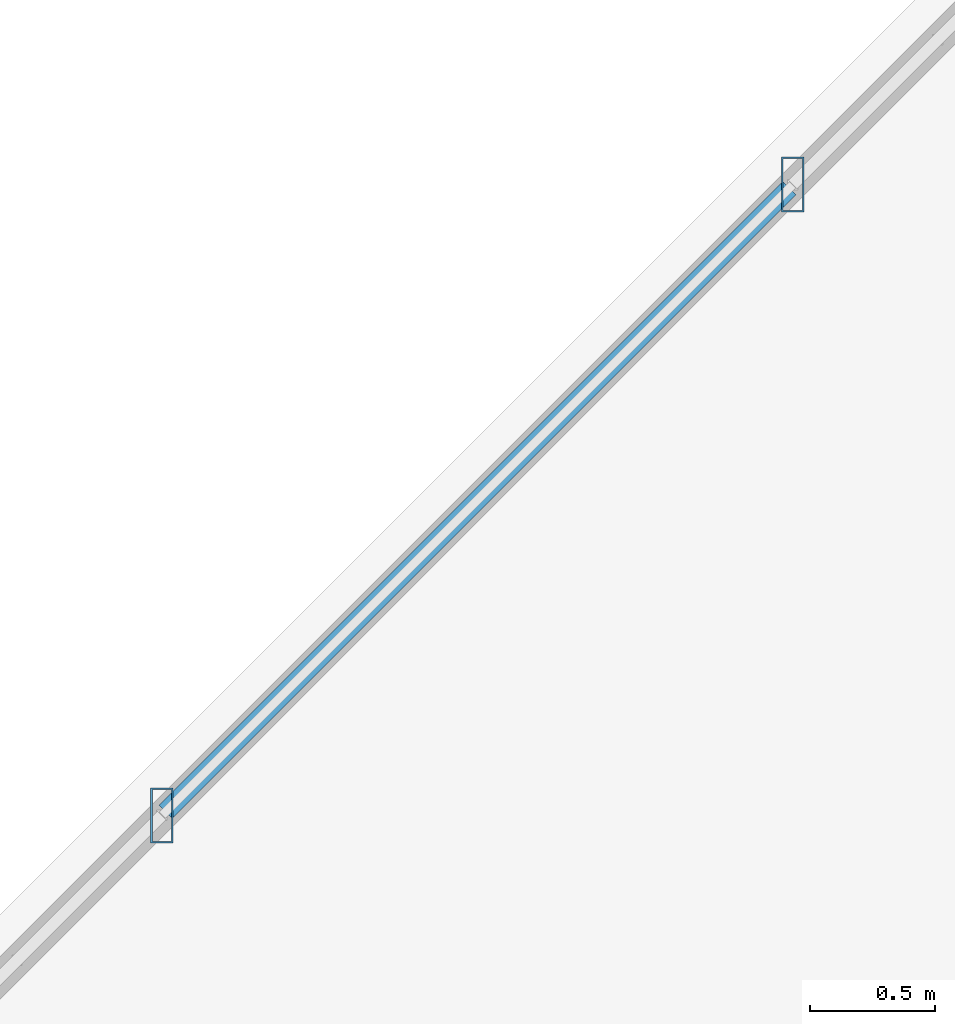
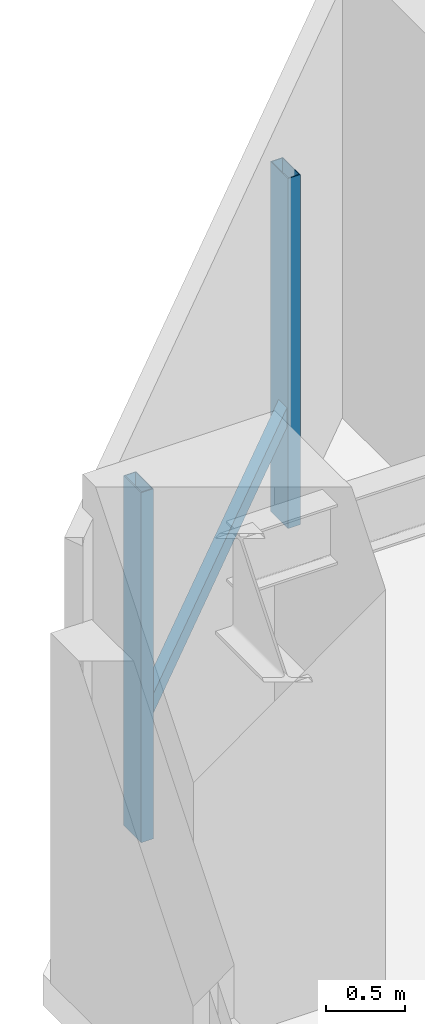
# One storey, part 14 of 33: 3 members, 1 element without a shape of its own.
"""IFC4 building model written with IfcOpenShell, lengths in metres."""

from ifc_helpers import new_model, si_unit, direction, frame, origin, origin_2d, place, context, subcontext, project, spatial, hollow_rectangle, extrude, material, material_profile, profile_set, type_object, element, aggregate, save


model = new_model("IFC4")

# Units and contexts
model_context = context("Model", 3, precision=1e-05, world=origin(), true_north=direction((0.0, 1.0)))
body_context = subcontext(model_context, "Body", "Model", "MODEL_VIEW")
ifc_project = project(units=[si_unit("LENGTHUNIT", "METRE"), si_unit("AREAUNIT", "SQUARE_METRE"), si_unit("VOLUMEUNIT", "CUBIC_METRE"), si_unit("PLANEANGLEUNIT", "RADIAN"), si_unit("MASSUNIT", "GRAM", prefix="KILO")], contexts=[model_context])

# Site, building, storey
site_placement = place(None, origin())
site = spatial("IfcSite", under=ifc_project, at=site_placement, CompositionType="ELEMENT")
building_placement = place(site_placement, origin())
building = spatial("IfcBuilding", under=site, at=building_placement, Name="Thornwick Lancets Civic Towers", CompositionType="ELEMENT")
storey_placement = place(building_placement, frame((0.0, 0.0, 42.300048828125)))
storey = spatial("IfcBuildingStorey", under=building, at=storey_placement, Name="L10", CompositionType="ELEMENT", Elevation=42.300048828125)

# Curtain wall, members
ifc_material_1 = material(Name="Low-zone chamfered-corner unitised glass curtain wall", Category="glass")
curtain_wall_type = type_object("IfcCurtainWallType", Name="CW_SYS_03", PredefinedType="NOTDEFINED", material=ifc_material_1)
curtain_wall_placement = place(storey_placement, origin())
curtain_wall = element("IfcCurtainWall", 1, at=curtain_wall_placement, inside=storey, type_object=curtain_wall_type, Name="L10 Curtain Wall CW-L10-B-E5", PredefinedType="NOTDEFINED")
ifc_material_2 = material(Name="Thermally broken bronze aluminium S355", Category="steel")
ifc_material_profile_1 = material_profile(ifc_material_2, hollow_rectangle(XDim=0.090087890625, YDim=0.219970703125, WallThickness=0.00634765625, at=origin_2d()), Name="RHS 220x90x6.3")
ifc_profile_set_1 = profile_set([ifc_material_profile_1], Name="Thermally broken bronze aluminium S355")
member_type_1 = type_object("IfcMemberType", Name="CW_MUL_220", PredefinedType="MULLION", material=ifc_profile_set_1)
member_1_placement = place(storey_placement, frame((73.937744140625, 44.094482421875, 0.0), z_axis=(0.0, 0.0, 1.0), x_axis=(1.0, 0.0, 0.0)))
member_1 = element("IfcMember", 2, at=member_1_placement, type_object=member_type_1, Name="CW-L10-B-E5 Mullion 0", PredefinedType="MULLION", context=body_context, shape_type="SweptSolid", body=[
    extrude(hollow_rectangle(XDim=0.090087890625, YDim=0.219970703125, WallThickness=0.00634765625, at=origin_2d()), origin(), (0.0, 0.0, 1.0), 2.699951171875),
])
member_2_placement = place(storey_placement, frame((71.405517578125, 41.562255859375, 0.0), z_axis=(0.0, 0.0, 1.0), x_axis=(1.0, 0.0, 0.0)))
member_2 = element("IfcMember", 3, at=member_2_placement, type_object=member_type_1, Name="CW-L10-B-E5 Mullion 1", PredefinedType="MULLION", context=body_context, shape_type="SweptSolid", body=[
    extrude(hollow_rectangle(XDim=0.090087890625, YDim=0.219970703125, WallThickness=0.00634765625, at=origin_2d()), origin(), (0.0, 0.0, 1.0), 2.699951171875),
])
ifc_material_profile_2 = material_profile(ifc_material_2, hollow_rectangle(XDim=0.074951171875, YDim=0.14990234375, WallThickness=0.0048828125, at=origin_2d()), Name="RHS 150x75x5")
ifc_profile_set_2 = profile_set([ifc_material_profile_2], Name="Thermally broken bronze aluminium S355")
member_type_2 = type_object("IfcMemberType", Name="CW_TRN_150", PredefinedType="USERDEFINED", material=ifc_profile_set_2)
member_3_placement = place(storey_placement, frame((73.923583984375, 44.080322265625, 0.849853515625), z_axis=(-0.707106781187, -0.707106781187, 0.0), x_axis=(0.707106781187, -0.707106781187, 0.0)))
member_3 = element("IfcMember", 4, at=member_3_placement, type_object=member_type_2, Name="CW-L10-B-E5 Transom 0", ObjectType="TRANSOM", PredefinedType="USERDEFINED", context=body_context, shape_type="SweptSolid", body=[
    extrude(hollow_rectangle(XDim=0.074951171875, YDim=0.14990234375, WallThickness=0.0048828125, at=origin_2d()), origin(), (0.0, 0.0, 1.0), 3.541015625),
])
aggregate(curtain_wall, [member_1, member_2, member_3])

save(model, "model.ifc")
